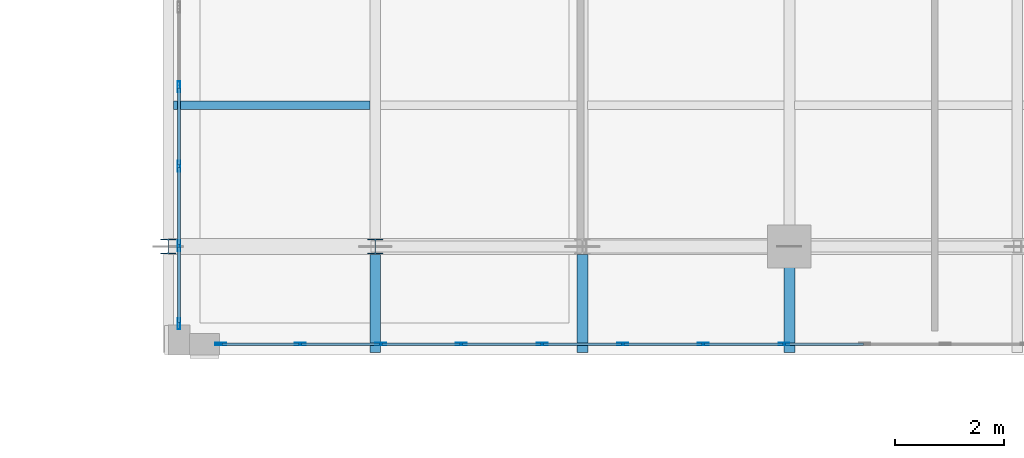
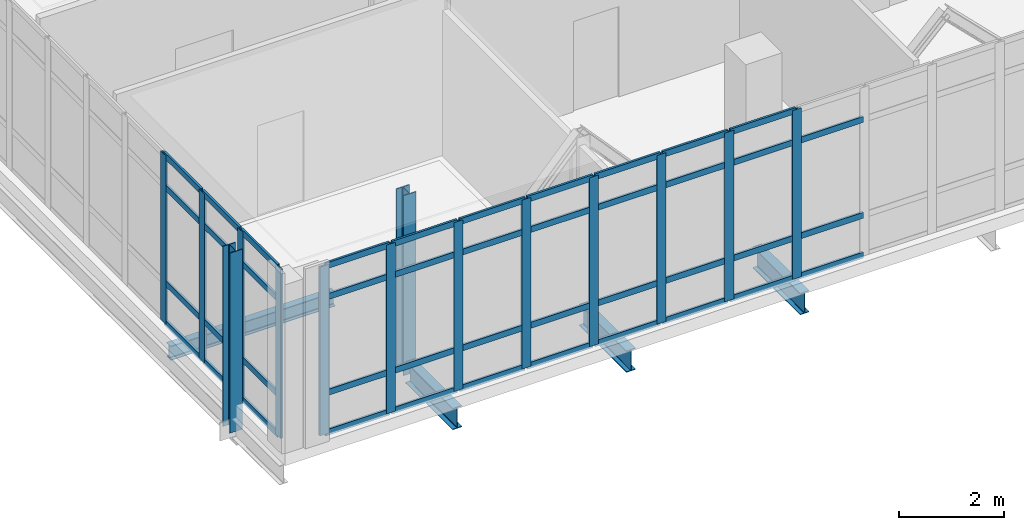
# One storey, part 2 of 158: 57 members, 4 beams, 2 elements without a shape of their own.
"""IFC4 building model written with IfcOpenShell, lengths in metres."""

from ifc_helpers import new_model, si_unit, direction, frame, origin, origin_2d, place, context, subcontext, project, spatial, hollow_rectangle, i_section, extrude, material, layer, layer_set, material_profile, profile_set, type_object, element, aggregate, save


model = new_model("IFC4")

# Units and contexts
model_context = context("Model", 3, precision=1e-05, world=origin(), true_north=direction((0.0, 1.0)))
body_context = subcontext(model_context, "Body", "Model", "MODEL_VIEW")
ifc_project = project(units=[si_unit("LENGTHUNIT", "METRE"), si_unit("AREAUNIT", "SQUARE_METRE"), si_unit("VOLUMEUNIT", "CUBIC_METRE"), si_unit("PLANEANGLEUNIT", "RADIAN"), si_unit("MASSUNIT", "GRAM", prefix="KILO")], contexts=[model_context])

# Site, building, storey
site_placement = place(None, origin())
site = spatial("IfcSite", under=ifc_project, at=site_placement, CompositionType="ELEMENT")
building_placement = place(site_placement, origin())
building = spatial("IfcBuilding", under=site, at=building_placement, Name="Qalavern Law Courts", CompositionType="ELEMENT")
storey_placement = place(building_placement, frame((0.0, 0.0, 18.60009765625)))
storey = spatial("IfcBuildingStorey", under=building, at=storey_placement, Name="L04", CompositionType="ELEMENT", Elevation=18.60009765625)

# Curtain wall, members
ifc_material_1 = material(Name="Anodised aluminium and insulated glazing", Category="aluminium")
ifc_layer = layer(ifc_material_1, 0.199951171875)
ifc_layer_set = layer_set([ifc_layer], Name="Anodised aluminium and insulated glazing")
curtain_wall_type = type_object("IfcCurtainWallType", Name="ENV-CW-FOYER", PredefinedType="USERDEFINED", material=ifc_layer_set)
curtain_wall_1_placement = place(storey_placement, origin())
curtain_wall_1 = element("IfcCurtainWall", 1, at=curtain_wall_1_placement, inside=storey, type_object=curtain_wall_type, Name="V1 unitised curtain wall L04 south 1", ObjectType="UNITISED CURTAIN WALL", PredefinedType="USERDEFINED")
ifc_material_2 = material(Name="Anodised aluminium", Category="aluminium")
ifc_material_profile_1 = material_profile(ifc_material_2, hollow_rectangle(XDim=0.048095703125, YDim=0.199951171875, WallThickness=0.00439453125, at=origin_2d()), Name="ALU MULLION 48x200")
ifc_profile_set_1 = profile_set([ifc_material_profile_1], Name="Anodised aluminium")
member_type_1 = type_object("IfcMemberType", Name="ENV-CWM-48x200", PredefinedType="MULLION", material=ifc_profile_set_1)
member_1_placement = place(storey_placement, frame((6.319091796875, 8.199951171875, 0.0), z_axis=(0.0, 0.0, 1.0), x_axis=(0.0, 1.0, 0.0)))
member_1 = element("IfcMember", 2, at=member_1_placement, type_object=member_type_1, Name="CW-01 mullion 1", PredefinedType="MULLION", context=body_context, shape_type="SweptSolid", body=[
    extrude(hollow_rectangle(XDim=0.048095703125, YDim=0.199951171875, WallThickness=0.00439453125, at=origin_2d()), origin(), (0.0, 0.0, 1.0), 3.9248046875),
])
member_2_placement = place(storey_placement, frame((7.78173828125, 8.199951171875, 0.0), z_axis=(0.0, 0.0, 1.0), x_axis=(0.0, 1.0, 0.0)))
member_2 = element("IfcMember", 3, at=member_2_placement, type_object=member_type_1, Name="CW-01 mullion 2", PredefinedType="MULLION", context=body_context, shape_type="SweptSolid", body=[
    extrude(hollow_rectangle(XDim=0.048095703125, YDim=0.199951171875, WallThickness=0.00439453125, at=origin_2d()), origin(), (0.0, 0.0, 1.0), 3.9248046875),
])
member_3_placement = place(storey_placement, frame((9.268310546875, 8.199951171875, 0.0), z_axis=(0.0, 0.0, 1.0), x_axis=(0.0, 1.0, 0.0)))
member_3 = element("IfcMember", 4, at=member_3_placement, type_object=member_type_1, Name="CW-01 mullion 3", PredefinedType="MULLION", context=body_context, shape_type="SweptSolid", body=[
    extrude(hollow_rectangle(XDim=0.048095703125, YDim=0.199951171875, WallThickness=0.00439453125, at=origin_2d()), origin(), (0.0, 0.0, 1.0), 3.9248046875),
])
member_4_placement = place(storey_placement, frame((10.7548828125, 8.199951171875, 0.0), z_axis=(0.0, 0.0, 1.0), x_axis=(0.0, 1.0, 0.0)))
member_4 = element("IfcMember", 5, at=member_4_placement, type_object=member_type_1, Name="CW-01 mullion 4", PredefinedType="MULLION", context=body_context, shape_type="SweptSolid", body=[
    extrude(hollow_rectangle(XDim=0.048095703125, YDim=0.199951171875, WallThickness=0.00439453125, at=origin_2d()), origin(), (0.0, 0.0, 1.0), 3.9248046875),
])
member_5_placement = place(storey_placement, frame((12.24169921875, 8.199951171875, 0.0), z_axis=(0.0, 0.0, 1.0), x_axis=(0.0, 1.0, 0.0)))
member_5 = element("IfcMember", 6, at=member_5_placement, type_object=member_type_1, Name="CW-01 mullion 5", PredefinedType="MULLION", context=body_context, shape_type="SweptSolid", body=[
    extrude(hollow_rectangle(XDim=0.048095703125, YDim=0.199951171875, WallThickness=0.00439453125, at=origin_2d()), origin(), (0.0, 0.0, 1.0), 3.9248046875),
])
member_6_placement = place(storey_placement, frame((13.728271484375, 8.199951171875, 0.0), z_axis=(0.0, 0.0, 1.0), x_axis=(0.0, 1.0, 0.0)))
member_6 = element("IfcMember", 7, at=member_6_placement, type_object=member_type_1, Name="CW-01 mullion 6", PredefinedType="MULLION", context=body_context, shape_type="SweptSolid", body=[
    extrude(hollow_rectangle(XDim=0.048095703125, YDim=0.199951171875, WallThickness=0.00439453125, at=origin_2d()), origin(), (0.0, 0.0, 1.0), 3.9248046875),
])
member_7_placement = place(storey_placement, frame((15.215087890625, 8.199951171875, 0.0), z_axis=(0.0, 0.0, 1.0), x_axis=(0.0, 1.0, 0.0)))
member_7 = element("IfcMember", 8, at=member_7_placement, type_object=member_type_1, Name="CW-01 mullion 7", PredefinedType="MULLION", context=body_context, shape_type="SweptSolid", body=[
    extrude(hollow_rectangle(XDim=0.048095703125, YDim=0.199951171875, WallThickness=0.00439453125, at=origin_2d()), origin(), (0.0, 0.0, 1.0), 3.9248046875),
])
member_8_placement = place(storey_placement, frame((16.70166015625, 8.199951171875, 0.0), z_axis=(0.0, 0.0, 1.0), x_axis=(0.0, 1.0, 0.0)))
member_8 = element("IfcMember", 9, at=member_8_placement, type_object=member_type_1, Name="CW-01 mullion 8", PredefinedType="MULLION", context=body_context, shape_type="SweptSolid", body=[
    extrude(hollow_rectangle(XDim=0.048095703125, YDim=0.199951171875, WallThickness=0.00439453125, at=origin_2d()), origin(), (0.0, 0.0, 1.0), 3.9248046875),
])

curtain_wall_2_placement = place(storey_placement, origin())
curtain_wall_2 = element("IfcCurtainWall", 10, at=curtain_wall_2_placement, inside=storey, type_object=curtain_wall_type, Name="V1 unitised curtain wall L04 west 1", ObjectType="UNITISED CURTAIN WALL", PredefinedType="USERDEFINED")
member_9_placement = place(storey_placement, frame((5.550048828125, 12.944091796875, 0.0), z_axis=(0.0, 0.0, 1.0), x_axis=(1.0, 0.0, 0.0)))
member_9 = element("IfcMember", 11, at=member_9_placement, type_object=member_type_1, Name="CW-01 mullion 15", PredefinedType="MULLION", context=body_context, shape_type="SweptSolid", body=[
    extrude(hollow_rectangle(XDim=0.048095703125, YDim=0.199951171875, WallThickness=0.00439453125, at=origin_2d()), origin(), (0.0, 0.0, 1.0), 3.9248046875),
])
member_10_placement = place(storey_placement, frame((5.550048828125, 11.4794921875, 0.0), z_axis=(0.0, 0.0, 1.0), x_axis=(1.0, 0.0, 0.0)))
member_10 = element("IfcMember", 12, at=member_10_placement, type_object=member_type_1, Name="CW-01 mullion 16", PredefinedType="MULLION", context=body_context, shape_type="SweptSolid", body=[
    extrude(hollow_rectangle(XDim=0.048095703125, YDim=0.199951171875, WallThickness=0.00439453125, at=origin_2d()), origin(), (0.0, 0.0, 1.0), 3.9248046875),
])
member_11_placement = place(storey_placement, frame((5.550048828125, 10.0146484375, 0.0), z_axis=(0.0, 0.0, 1.0), x_axis=(1.0, 0.0, 0.0)))
member_11 = element("IfcMember", 13, at=member_11_placement, type_object=member_type_1, Name="CW-01 mullion 17", PredefinedType="MULLION", context=body_context, shape_type="SweptSolid", body=[
    extrude(hollow_rectangle(XDim=0.048095703125, YDim=0.199951171875, WallThickness=0.00439453125, at=origin_2d()), origin(), (0.0, 0.0, 1.0), 3.9248046875),
])
member_12_placement = place(storey_placement, frame((5.550048828125, 8.573974609375, 0.0), z_axis=(0.0, 0.0, 1.0), x_axis=(1.0, 0.0, 0.0)))
member_12 = element("IfcMember", 14, at=member_12_placement, type_object=member_type_1, Name="CW-01 mullion 18", PredefinedType="MULLION", context=body_context, shape_type="SweptSolid", body=[
    extrude(hollow_rectangle(XDim=0.048095703125, YDim=0.199951171875, WallThickness=0.00439453125, at=origin_2d()), origin(), (0.0, 0.0, 1.0), 3.9248046875),
])

# Member
ifc_material_profile_2 = material_profile(ifc_material_2, hollow_rectangle(XDim=0.048095703125, YDim=0.139892578125, WallThickness=0.00390625, at=origin_2d()), Name="ALU TRANSOM 48x140")
ifc_profile_set_2 = profile_set([ifc_material_profile_2], Name="Anodised aluminium")
member_type_2 = type_object("IfcMemberType", Name="ENV-CWT-48x140", PredefinedType="USERDEFINED", material=ifc_profile_set_2)
member_13_placement = place(storey_placement, frame((6.343017578125, 8.199951171875, 0.02392578125), z_axis=(1.0, 0.0, 0.0), x_axis=(0.0, 1.0, 0.0)))
member_13 = element("IfcMember", 15, at=member_13_placement, type_object=member_type_2, Name="CW-01 transom 1.1", ObjectType="TRANSOM", PredefinedType="USERDEFINED", context=body_context, shape_type="SweptSolid", body=[
    extrude(hollow_rectangle(XDim=0.048095703125, YDim=0.139892578125, WallThickness=0.00390625, at=origin_2d()), origin(), (0.0, 0.0, 1.0), 1.41455078125),
])

member_14_placement = place(storey_placement, frame((6.343017578125, 8.199951171875, 0.949951171875), z_axis=(1.0, 0.0, 0.0), x_axis=(0.0, 1.0, 0.0)))
member_14 = element("IfcMember", 16, at=member_14_placement, type_object=member_type_2, Name="CW-01 transom 1.2", ObjectType="TRANSOM", PredefinedType="USERDEFINED", context=body_context, shape_type="SweptSolid", body=[
    extrude(hollow_rectangle(XDim=0.048095703125, YDim=0.139892578125, WallThickness=0.00390625, at=origin_2d()), origin(), (0.0, 0.0, 1.0), 1.41455078125),
])

member_15_placement = place(storey_placement, frame((6.343017578125, 8.199951171875, 3.1748046875), z_axis=(1.0, 0.0, 0.0), x_axis=(0.0, 1.0, 0.0)))
member_15 = element("IfcMember", 17, at=member_15_placement, type_object=member_type_2, Name="CW-01 transom 1.3", ObjectType="TRANSOM", PredefinedType="USERDEFINED", context=body_context, shape_type="SweptSolid", body=[
    extrude(hollow_rectangle(XDim=0.048095703125, YDim=0.139892578125, WallThickness=0.00390625, at=origin_2d()), origin(), (0.0, 0.0, 1.0), 1.41455078125),
])

member_16_placement = place(storey_placement, frame((6.343017578125, 8.199951171875, 3.90087890625), z_axis=(1.0, 0.0, 0.0), x_axis=(0.0, 1.0, 0.0)))
member_16 = element("IfcMember", 18, at=member_16_placement, type_object=member_type_2, Name="CW-01 transom 1.4", ObjectType="TRANSOM", PredefinedType="USERDEFINED", context=body_context, shape_type="SweptSolid", body=[
    extrude(hollow_rectangle(XDim=0.048095703125, YDim=0.139892578125, WallThickness=0.00390625, at=origin_2d()), origin(), (0.0, 0.0, 1.0), 1.41455078125),
])

member_17_placement = place(storey_placement, frame((7.8056640625, 8.199951171875, 0.02392578125), z_axis=(1.0, 0.0, 0.0), x_axis=(0.0, 1.0, 0.0)))
member_17 = element("IfcMember", 19, at=member_17_placement, type_object=member_type_2, Name="CW-01 transom 2.1", ObjectType="TRANSOM", PredefinedType="USERDEFINED", context=body_context, shape_type="SweptSolid", body=[
    extrude(hollow_rectangle(XDim=0.048095703125, YDim=0.139892578125, WallThickness=0.00390625, at=origin_2d()), origin(), (0.0, 0.0, 1.0), 1.438720703125),
])

member_18_placement = place(storey_placement, frame((7.8056640625, 8.199951171875, 0.949951171875), z_axis=(1.0, 0.0, 0.0), x_axis=(0.0, 1.0, 0.0)))
member_18 = element("IfcMember", 20, at=member_18_placement, type_object=member_type_2, Name="CW-01 transom 2.2", ObjectType="TRANSOM", PredefinedType="USERDEFINED", context=body_context, shape_type="SweptSolid", body=[
    extrude(hollow_rectangle(XDim=0.048095703125, YDim=0.139892578125, WallThickness=0.00390625, at=origin_2d()), origin(), (0.0, 0.0, 1.0), 1.438720703125),
])

member_19_placement = place(storey_placement, frame((7.8056640625, 8.199951171875, 3.1748046875), z_axis=(1.0, 0.0, 0.0), x_axis=(0.0, 1.0, 0.0)))
member_19 = element("IfcMember", 21, at=member_19_placement, type_object=member_type_2, Name="CW-01 transom 2.3", ObjectType="TRANSOM", PredefinedType="USERDEFINED", context=body_context, shape_type="SweptSolid", body=[
    extrude(hollow_rectangle(XDim=0.048095703125, YDim=0.139892578125, WallThickness=0.00390625, at=origin_2d()), origin(), (0.0, 0.0, 1.0), 1.438720703125),
])

member_20_placement = place(storey_placement, frame((7.8056640625, 8.199951171875, 3.90087890625), z_axis=(1.0, 0.0, 0.0), x_axis=(0.0, 1.0, 0.0)))
member_20 = element("IfcMember", 22, at=member_20_placement, type_object=member_type_2, Name="CW-01 transom 2.4", ObjectType="TRANSOM", PredefinedType="USERDEFINED", context=body_context, shape_type="SweptSolid", body=[
    extrude(hollow_rectangle(XDim=0.048095703125, YDim=0.139892578125, WallThickness=0.00390625, at=origin_2d()), origin(), (0.0, 0.0, 1.0), 1.438720703125),
])

member_21_placement = place(storey_placement, frame((9.292236328125, 8.199951171875, 0.02392578125), z_axis=(1.0, 0.0, 0.0), x_axis=(0.0, 1.0, 0.0)))
member_21 = element("IfcMember", 23, at=member_21_placement, type_object=member_type_2, Name="CW-01 transom 3.1", ObjectType="TRANSOM", PredefinedType="USERDEFINED", context=body_context, shape_type="SweptSolid", body=[
    extrude(hollow_rectangle(XDim=0.048095703125, YDim=0.139892578125, WallThickness=0.00390625, at=origin_2d()), origin(), (0.0, 0.0, 1.0), 1.438720703125),
])

member_22_placement = place(storey_placement, frame((9.292236328125, 8.199951171875, 0.949951171875), z_axis=(1.0, 0.0, 0.0), x_axis=(0.0, 1.0, 0.0)))
member_22 = element("IfcMember", 24, at=member_22_placement, type_object=member_type_2, Name="CW-01 transom 3.2", ObjectType="TRANSOM", PredefinedType="USERDEFINED", context=body_context, shape_type="SweptSolid", body=[
    extrude(hollow_rectangle(XDim=0.048095703125, YDim=0.139892578125, WallThickness=0.00390625, at=origin_2d()), origin(), (0.0, 0.0, 1.0), 1.438720703125),
])

member_23_placement = place(storey_placement, frame((9.292236328125, 8.199951171875, 3.1748046875), z_axis=(1.0, 0.0, 0.0), x_axis=(0.0, 1.0, 0.0)))
member_23 = element("IfcMember", 25, at=member_23_placement, type_object=member_type_2, Name="CW-01 transom 3.3", ObjectType="TRANSOM", PredefinedType="USERDEFINED", context=body_context, shape_type="SweptSolid", body=[
    extrude(hollow_rectangle(XDim=0.048095703125, YDim=0.139892578125, WallThickness=0.00390625, at=origin_2d()), origin(), (0.0, 0.0, 1.0), 1.438720703125),
])

member_24_placement = place(storey_placement, frame((9.292236328125, 8.199951171875, 3.90087890625), z_axis=(1.0, 0.0, 0.0), x_axis=(0.0, 1.0, 0.0)))
member_24 = element("IfcMember", 26, at=member_24_placement, type_object=member_type_2, Name="CW-01 transom 3.4", ObjectType="TRANSOM", PredefinedType="USERDEFINED", context=body_context, shape_type="SweptSolid", body=[
    extrude(hollow_rectangle(XDim=0.048095703125, YDim=0.139892578125, WallThickness=0.00390625, at=origin_2d()), origin(), (0.0, 0.0, 1.0), 1.438720703125),
])

member_25_placement = place(storey_placement, frame((10.779052734375, 8.199951171875, 0.02392578125), z_axis=(1.0, 0.0, 0.0), x_axis=(0.0, 1.0, 0.0)))
member_25 = element("IfcMember", 27, at=member_25_placement, type_object=member_type_2, Name="CW-01 transom 4.1", ObjectType="TRANSOM", PredefinedType="USERDEFINED", context=body_context, shape_type="SweptSolid", body=[
    extrude(hollow_rectangle(XDim=0.048095703125, YDim=0.139892578125, WallThickness=0.00390625, at=origin_2d()), origin(), (0.0, 0.0, 1.0), 1.438720703125),
])

member_26_placement = place(storey_placement, frame((10.779052734375, 8.199951171875, 0.949951171875), z_axis=(1.0, 0.0, 0.0), x_axis=(0.0, 1.0, 0.0)))
member_26 = element("IfcMember", 28, at=member_26_placement, type_object=member_type_2, Name="CW-01 transom 4.2", ObjectType="TRANSOM", PredefinedType="USERDEFINED", context=body_context, shape_type="SweptSolid", body=[
    extrude(hollow_rectangle(XDim=0.048095703125, YDim=0.139892578125, WallThickness=0.00390625, at=origin_2d()), origin(), (0.0, 0.0, 1.0), 1.438720703125),
])

member_27_placement = place(storey_placement, frame((10.779052734375, 8.199951171875, 3.1748046875), z_axis=(1.0, 0.0, 0.0), x_axis=(0.0, 1.0, 0.0)))
member_27 = element("IfcMember", 29, at=member_27_placement, type_object=member_type_2, Name="CW-01 transom 4.3", ObjectType="TRANSOM", PredefinedType="USERDEFINED", context=body_context, shape_type="SweptSolid", body=[
    extrude(hollow_rectangle(XDim=0.048095703125, YDim=0.139892578125, WallThickness=0.00390625, at=origin_2d()), origin(), (0.0, 0.0, 1.0), 1.438720703125),
])

member_28_placement = place(storey_placement, frame((10.779052734375, 8.199951171875, 3.90087890625), z_axis=(1.0, 0.0, 0.0), x_axis=(0.0, 1.0, 0.0)))
member_28 = element("IfcMember", 30, at=member_28_placement, type_object=member_type_2, Name="CW-01 transom 4.4", ObjectType="TRANSOM", PredefinedType="USERDEFINED", context=body_context, shape_type="SweptSolid", body=[
    extrude(hollow_rectangle(XDim=0.048095703125, YDim=0.139892578125, WallThickness=0.00390625, at=origin_2d()), origin(), (0.0, 0.0, 1.0), 1.438720703125),
])

member_29_placement = place(storey_placement, frame((12.265625, 8.199951171875, 0.02392578125), z_axis=(1.0, 0.0, 0.0), x_axis=(0.0, 1.0, 0.0)))
member_29 = element("IfcMember", 31, at=member_29_placement, type_object=member_type_2, Name="CW-01 transom 5.1", ObjectType="TRANSOM", PredefinedType="USERDEFINED", context=body_context, shape_type="SweptSolid", body=[
    extrude(hollow_rectangle(XDim=0.048095703125, YDim=0.139892578125, WallThickness=0.00390625, at=origin_2d()), origin(), (0.0, 0.0, 1.0), 1.438720703125),
])

member_30_placement = place(storey_placement, frame((12.265625, 8.199951171875, 0.949951171875), z_axis=(1.0, 0.0, 0.0), x_axis=(0.0, 1.0, 0.0)))
member_30 = element("IfcMember", 32, at=member_30_placement, type_object=member_type_2, Name="CW-01 transom 5.2", ObjectType="TRANSOM", PredefinedType="USERDEFINED", context=body_context, shape_type="SweptSolid", body=[
    extrude(hollow_rectangle(XDim=0.048095703125, YDim=0.139892578125, WallThickness=0.00390625, at=origin_2d()), origin(), (0.0, 0.0, 1.0), 1.438720703125),
])

member_31_placement = place(storey_placement, frame((12.265625, 8.199951171875, 3.1748046875), z_axis=(1.0, 0.0, 0.0), x_axis=(0.0, 1.0, 0.0)))
member_31 = element("IfcMember", 33, at=member_31_placement, type_object=member_type_2, Name="CW-01 transom 5.3", ObjectType="TRANSOM", PredefinedType="USERDEFINED", context=body_context, shape_type="SweptSolid", body=[
    extrude(hollow_rectangle(XDim=0.048095703125, YDim=0.139892578125, WallThickness=0.00390625, at=origin_2d()), origin(), (0.0, 0.0, 1.0), 1.438720703125),
])

member_32_placement = place(storey_placement, frame((12.265625, 8.199951171875, 3.90087890625), z_axis=(1.0, 0.0, 0.0), x_axis=(0.0, 1.0, 0.0)))
member_32 = element("IfcMember", 34, at=member_32_placement, type_object=member_type_2, Name="CW-01 transom 5.4", ObjectType="TRANSOM", PredefinedType="USERDEFINED", context=body_context, shape_type="SweptSolid", body=[
    extrude(hollow_rectangle(XDim=0.048095703125, YDim=0.139892578125, WallThickness=0.00390625, at=origin_2d()), origin(), (0.0, 0.0, 1.0), 1.438720703125),
])

member_33_placement = place(storey_placement, frame((13.75244140625, 8.199951171875, 0.02392578125), z_axis=(1.0, 0.0, 0.0), x_axis=(0.0, 1.0, 0.0)))
member_33 = element("IfcMember", 35, at=member_33_placement, type_object=member_type_2, Name="CW-01 transom 6.1", ObjectType="TRANSOM", PredefinedType="USERDEFINED", context=body_context, shape_type="SweptSolid", body=[
    extrude(hollow_rectangle(XDim=0.048095703125, YDim=0.139892578125, WallThickness=0.00390625, at=origin_2d()), origin(), (0.0, 0.0, 1.0), 1.4384765625),
])

member_34_placement = place(storey_placement, frame((13.75244140625, 8.199951171875, 0.949951171875), z_axis=(1.0, 0.0, 0.0), x_axis=(0.0, 1.0, 0.0)))
member_34 = element("IfcMember", 36, at=member_34_placement, type_object=member_type_2, Name="CW-01 transom 6.2", ObjectType="TRANSOM", PredefinedType="USERDEFINED", context=body_context, shape_type="SweptSolid", body=[
    extrude(hollow_rectangle(XDim=0.048095703125, YDim=0.139892578125, WallThickness=0.00390625, at=origin_2d()), origin(), (0.0, 0.0, 1.0), 1.4384765625),
])

member_35_placement = place(storey_placement, frame((13.75244140625, 8.199951171875, 3.1748046875), z_axis=(1.0, 0.0, 0.0), x_axis=(0.0, 1.0, 0.0)))
member_35 = element("IfcMember", 37, at=member_35_placement, type_object=member_type_2, Name="CW-01 transom 6.3", ObjectType="TRANSOM", PredefinedType="USERDEFINED", context=body_context, shape_type="SweptSolid", body=[
    extrude(hollow_rectangle(XDim=0.048095703125, YDim=0.139892578125, WallThickness=0.00390625, at=origin_2d()), origin(), (0.0, 0.0, 1.0), 1.4384765625),
])

member_36_placement = place(storey_placement, frame((13.75244140625, 8.199951171875, 3.90087890625), z_axis=(1.0, 0.0, 0.0), x_axis=(0.0, 1.0, 0.0)))
member_36 = element("IfcMember", 38, at=member_36_placement, type_object=member_type_2, Name="CW-01 transom 6.4", ObjectType="TRANSOM", PredefinedType="USERDEFINED", context=body_context, shape_type="SweptSolid", body=[
    extrude(hollow_rectangle(XDim=0.048095703125, YDim=0.139892578125, WallThickness=0.00390625, at=origin_2d()), origin(), (0.0, 0.0, 1.0), 1.4384765625),
])

member_37_placement = place(storey_placement, frame((15.239013671875, 8.199951171875, 0.02392578125), z_axis=(1.0, 0.0, 0.0), x_axis=(0.0, 1.0, 0.0)))
member_37 = element("IfcMember", 39, at=member_37_placement, type_object=member_type_2, Name="CW-01 transom 7.1", ObjectType="TRANSOM", PredefinedType="USERDEFINED", context=body_context, shape_type="SweptSolid", body=[
    extrude(hollow_rectangle(XDim=0.048095703125, YDim=0.139892578125, WallThickness=0.00390625, at=origin_2d()), origin(), (0.0, 0.0, 1.0), 1.438720703125),
])

member_38_placement = place(storey_placement, frame((15.239013671875, 8.199951171875, 0.949951171875), z_axis=(1.0, 0.0, 0.0), x_axis=(0.0, 1.0, 0.0)))
member_38 = element("IfcMember", 40, at=member_38_placement, type_object=member_type_2, Name="CW-01 transom 7.2", ObjectType="TRANSOM", PredefinedType="USERDEFINED", context=body_context, shape_type="SweptSolid", body=[
    extrude(hollow_rectangle(XDim=0.048095703125, YDim=0.139892578125, WallThickness=0.00390625, at=origin_2d()), origin(), (0.0, 0.0, 1.0), 1.438720703125),
])

member_39_placement = place(storey_placement, frame((15.239013671875, 8.199951171875, 3.1748046875), z_axis=(1.0, 0.0, 0.0), x_axis=(0.0, 1.0, 0.0)))
member_39 = element("IfcMember", 41, at=member_39_placement, type_object=member_type_2, Name="CW-01 transom 7.3", ObjectType="TRANSOM", PredefinedType="USERDEFINED", context=body_context, shape_type="SweptSolid", body=[
    extrude(hollow_rectangle(XDim=0.048095703125, YDim=0.139892578125, WallThickness=0.00390625, at=origin_2d()), origin(), (0.0, 0.0, 1.0), 1.438720703125),
])

member_40_placement = place(storey_placement, frame((15.239013671875, 8.199951171875, 3.90087890625), z_axis=(1.0, 0.0, 0.0), x_axis=(0.0, 1.0, 0.0)))
member_40 = element("IfcMember", 42, at=member_40_placement, type_object=member_type_2, Name="CW-01 transom 7.4", ObjectType="TRANSOM", PredefinedType="USERDEFINED", context=body_context, shape_type="SweptSolid", body=[
    extrude(hollow_rectangle(XDim=0.048095703125, YDim=0.139892578125, WallThickness=0.00390625, at=origin_2d()), origin(), (0.0, 0.0, 1.0), 1.438720703125),
])

member_41_placement = place(storey_placement, frame((16.7255859375, 8.199951171875, 0.02392578125), z_axis=(1.0, 0.0, 0.0), x_axis=(0.0, 1.0, 0.0)))
member_41 = element("IfcMember", 43, at=member_41_placement, type_object=member_type_2, Name="CW-01 transom 8.1", ObjectType="TRANSOM", PredefinedType="USERDEFINED", context=body_context, shape_type="SweptSolid", body=[
    extrude(hollow_rectangle(XDim=0.048095703125, YDim=0.139892578125, WallThickness=0.00390625, at=origin_2d()), origin(), (0.0, 0.0, 1.0), 1.438720703125),
])

member_42_placement = place(storey_placement, frame((16.7255859375, 8.199951171875, 0.949951171875), z_axis=(1.0, 0.0, 0.0), x_axis=(0.0, 1.0, 0.0)))
member_42 = element("IfcMember", 44, at=member_42_placement, type_object=member_type_2, Name="CW-01 transom 8.2", ObjectType="TRANSOM", PredefinedType="USERDEFINED", context=body_context, shape_type="SweptSolid", body=[
    extrude(hollow_rectangle(XDim=0.048095703125, YDim=0.139892578125, WallThickness=0.00390625, at=origin_2d()), origin(), (0.0, 0.0, 1.0), 1.438720703125),
])

member_43_placement = place(storey_placement, frame((16.7255859375, 8.199951171875, 3.1748046875), z_axis=(1.0, 0.0, 0.0), x_axis=(0.0, 1.0, 0.0)))
member_43 = element("IfcMember", 45, at=member_43_placement, type_object=member_type_2, Name="CW-01 transom 8.3", ObjectType="TRANSOM", PredefinedType="USERDEFINED", context=body_context, shape_type="SweptSolid", body=[
    extrude(hollow_rectangle(XDim=0.048095703125, YDim=0.139892578125, WallThickness=0.00390625, at=origin_2d()), origin(), (0.0, 0.0, 1.0), 1.438720703125),
])

aggregate(curtain_wall_1, [member_1, member_2, member_3, member_4, member_5, member_6, member_7, member_8, member_13, member_14, member_15, member_16, member_17, member_18, member_19, member_20, member_21, member_22, member_23, member_24, member_25, member_26, member_27, member_28, member_29, member_30, member_31, member_32, member_33, member_34, member_35, member_36, member_37, member_38, member_39, member_40, member_41, member_42, member_43])

member_44_placement = place(storey_placement, frame((5.550048828125, 12.920166015625, 0.02392578125), z_axis=(0.0, -1.0, 0.0), x_axis=(1.0, 0.0, 0.0)))
member_44 = element("IfcMember", 46, at=member_44_placement, type_object=member_type_2, Name="CW-01 transom 15.1", ObjectType="TRANSOM", PredefinedType="USERDEFINED", context=body_context, shape_type="SweptSolid", body=[
    extrude(hollow_rectangle(XDim=0.048095703125, YDim=0.139892578125, WallThickness=0.00390625, at=origin_2d()), origin(), (0.0, 0.0, 1.0), 1.416748046875),
])

member_45_placement = place(storey_placement, frame((5.550048828125, 12.920166015625, 0.949951171875), z_axis=(0.0, -1.0, 0.0), x_axis=(1.0, 0.0, 0.0)))
member_45 = element("IfcMember", 47, at=member_45_placement, type_object=member_type_2, Name="CW-01 transom 15.2", ObjectType="TRANSOM", PredefinedType="USERDEFINED", context=body_context, shape_type="SweptSolid", body=[
    extrude(hollow_rectangle(XDim=0.048095703125, YDim=0.139892578125, WallThickness=0.00390625, at=origin_2d()), origin(), (0.0, 0.0, 1.0), 1.416748046875),
])

member_46_placement = place(storey_placement, frame((5.550048828125, 12.920166015625, 3.1748046875), z_axis=(0.0, -1.0, 0.0), x_axis=(1.0, 0.0, 0.0)))
member_46 = element("IfcMember", 48, at=member_46_placement, type_object=member_type_2, Name="CW-01 transom 15.3", ObjectType="TRANSOM", PredefinedType="USERDEFINED", context=body_context, shape_type="SweptSolid", body=[
    extrude(hollow_rectangle(XDim=0.048095703125, YDim=0.139892578125, WallThickness=0.00390625, at=origin_2d()), origin(), (0.0, 0.0, 1.0), 1.416748046875),
])

member_47_placement = place(storey_placement, frame((5.550048828125, 12.920166015625, 3.90087890625), z_axis=(0.0, -1.0, 0.0), x_axis=(1.0, 0.0, 0.0)))
member_47 = element("IfcMember", 49, at=member_47_placement, type_object=member_type_2, Name="CW-01 transom 15.4", ObjectType="TRANSOM", PredefinedType="USERDEFINED", context=body_context, shape_type="SweptSolid", body=[
    extrude(hollow_rectangle(XDim=0.048095703125, YDim=0.139892578125, WallThickness=0.00390625, at=origin_2d()), origin(), (0.0, 0.0, 1.0), 1.416748046875),
])

member_48_placement = place(storey_placement, frame((5.550048828125, 11.455322265625, 0.02392578125), z_axis=(0.0, -1.0, 0.0), x_axis=(1.0, 0.0, 0.0)))
member_48 = element("IfcMember", 50, at=member_48_placement, type_object=member_type_2, Name="CW-01 transom 16.1", ObjectType="TRANSOM", PredefinedType="USERDEFINED", context=body_context, shape_type="SweptSolid", body=[
    extrude(hollow_rectangle(XDim=0.048095703125, YDim=0.139892578125, WallThickness=0.00390625, at=origin_2d()), origin(), (0.0, 0.0, 1.0), 1.41650390625),
])

member_49_placement = place(storey_placement, frame((5.550048828125, 11.455322265625, 0.949951171875), z_axis=(0.0, -1.0, 0.0), x_axis=(1.0, 0.0, 0.0)))
member_49 = element("IfcMember", 51, at=member_49_placement, type_object=member_type_2, Name="CW-01 transom 16.2", ObjectType="TRANSOM", PredefinedType="USERDEFINED", context=body_context, shape_type="SweptSolid", body=[
    extrude(hollow_rectangle(XDim=0.048095703125, YDim=0.139892578125, WallThickness=0.00390625, at=origin_2d()), origin(), (0.0, 0.0, 1.0), 1.41650390625),
])

member_50_placement = place(storey_placement, frame((5.550048828125, 11.455322265625, 3.1748046875), z_axis=(0.0, -1.0, 0.0), x_axis=(1.0, 0.0, 0.0)))
member_50 = element("IfcMember", 52, at=member_50_placement, type_object=member_type_2, Name="CW-01 transom 16.3", ObjectType="TRANSOM", PredefinedType="USERDEFINED", context=body_context, shape_type="SweptSolid", body=[
    extrude(hollow_rectangle(XDim=0.048095703125, YDim=0.139892578125, WallThickness=0.00390625, at=origin_2d()), origin(), (0.0, 0.0, 1.0), 1.41650390625),
])

member_51_placement = place(storey_placement, frame((5.550048828125, 11.455322265625, 3.90087890625), z_axis=(0.0, -1.0, 0.0), x_axis=(1.0, 0.0, 0.0)))
member_51 = element("IfcMember", 53, at=member_51_placement, type_object=member_type_2, Name="CW-01 transom 16.4", ObjectType="TRANSOM", PredefinedType="USERDEFINED", context=body_context, shape_type="SweptSolid", body=[
    extrude(hollow_rectangle(XDim=0.048095703125, YDim=0.139892578125, WallThickness=0.00390625, at=origin_2d()), origin(), (0.0, 0.0, 1.0), 1.41650390625),
])

member_52_placement = place(storey_placement, frame((5.550048828125, 9.99072265625, 0.02392578125), z_axis=(0.0, -1.0, 0.0), x_axis=(1.0, 0.0, 0.0)))
member_52 = element("IfcMember", 54, at=member_52_placement, type_object=member_type_2, Name="CW-01 transom 17.1", ObjectType="TRANSOM", PredefinedType="USERDEFINED", context=body_context, shape_type="SweptSolid", body=[
    extrude(hollow_rectangle(XDim=0.048095703125, YDim=0.139892578125, WallThickness=0.00390625, at=origin_2d()), origin(), (0.0, 0.0, 1.0), 1.392822265625),
])

member_53_placement = place(storey_placement, frame((5.550048828125, 9.99072265625, 0.949951171875), z_axis=(0.0, -1.0, 0.0), x_axis=(1.0, 0.0, 0.0)))
member_53 = element("IfcMember", 55, at=member_53_placement, type_object=member_type_2, Name="CW-01 transom 17.2", ObjectType="TRANSOM", PredefinedType="USERDEFINED", context=body_context, shape_type="SweptSolid", body=[
    extrude(hollow_rectangle(XDim=0.048095703125, YDim=0.139892578125, WallThickness=0.00390625, at=origin_2d()), origin(), (0.0, 0.0, 1.0), 1.392822265625),
])

member_54_placement = place(storey_placement, frame((5.550048828125, 9.99072265625, 3.1748046875), z_axis=(0.0, -1.0, 0.0), x_axis=(1.0, 0.0, 0.0)))
member_54 = element("IfcMember", 56, at=member_54_placement, type_object=member_type_2, Name="CW-01 transom 17.3", ObjectType="TRANSOM", PredefinedType="USERDEFINED", context=body_context, shape_type="SweptSolid", body=[
    extrude(hollow_rectangle(XDim=0.048095703125, YDim=0.139892578125, WallThickness=0.00390625, at=origin_2d()), origin(), (0.0, 0.0, 1.0), 1.392822265625),
])

member_55_placement = place(storey_placement, frame((5.550048828125, 9.99072265625, 3.90087890625), z_axis=(0.0, -1.0, 0.0), x_axis=(1.0, 0.0, 0.0)))
member_55 = element("IfcMember", 57, at=member_55_placement, type_object=member_type_2, Name="CW-01 transom 17.4", ObjectType="TRANSOM", PredefinedType="USERDEFINED", context=body_context, shape_type="SweptSolid", body=[
    extrude(hollow_rectangle(XDim=0.048095703125, YDim=0.139892578125, WallThickness=0.00390625, at=origin_2d()), origin(), (0.0, 0.0, 1.0), 1.392822265625),
])

aggregate(curtain_wall_2, [member_9, member_10, member_11, member_12, member_44, member_45, member_46, member_47, member_48, member_49, member_50, member_51, member_52, member_53, member_54, member_55])

# Beams
ifc_material_3 = material(Name="Steel S355", Category="steel")
ifc_material_profile_3 = material_profile(ifc_material_3, i_section(OverallWidth=0.199951171875, OverallDepth=0.5, WebThickness=0.01025390625, FlangeThickness=0.01611328125, FilletRadius=0.02099609375, at=origin_2d()), Name="IPE 500")
ifc_profile_set_3 = profile_set([ifc_material_profile_3], Name="Steel S355")
beam_type_1 = type_object("IfcBeamType", Name="STR-BM-IPE500", PredefinedType="BEAM", material=ifc_profile_set_3)
for number, where, z_axis, x_axis, name in (
    (58, (16.800048828125, 8.050048828125, -0.530029296875), (0.0, 1.0, 0.0), (-1.0, 0.0, 0.0), "Foyer transverse beam L04-5.1"),
    (59, (12.9833984375, 8.050048828125, -0.530029296875), (0.0, 1.0, 0.0), (-1.0, 0.0, 0.0), "Foyer transverse beam L04-6.1"),
    (60, (9.166748046875, 8.050048828125, -0.530029296875), (0.0, 1.0, 0.0), (-1.0, 0.0, 0.0), "Foyer transverse beam L04-7.1"),
):
    element("IfcBeam", number, at=place(storey_placement, frame(where, z_axis=z_axis, x_axis=x_axis)), inside=storey, type_object=beam_type_1, Name=name, PredefinedType="BEAM", context=body_context, shape_type="SweptSolid", body=[
        extrude(i_section(OverallWidth=0.199951171875, OverallDepth=0.5, WebThickness=0.01025390625, FlangeThickness=0.01611328125, FilletRadius=0.02099609375, at=origin_2d()), origin(), (0.0, 0.0, 1.0), 1.802001953125),
    ])
ifc_material_profile_4 = material_profile(ifc_material_3, i_section(OverallWidth=0.159912109375, OverallDepth=0.330078125, WebThickness=0.007568359375, FlangeThickness=0.011474609375, FilletRadius=0.01806640625, at=origin_2d()), Name="IPE 330")
ifc_profile_set_4 = profile_set([ifc_material_profile_4], Name="Steel S355")
beam_type_2 = type_object("IfcBeamType", Name="STR-JST-IPE330", PredefinedType="JOIST", material=ifc_profile_set_4)
beam_placement = place(storey_placement, frame((5.447998046875, 12.60009765625, -0.445068359375), z_axis=(1.0, 0.0, 0.0), x_axis=(0.0, 1.0, 0.0)))
element("IfcBeam", 61, at=beam_placement, inside=storey, type_object=beam_type_2, Name="Foyer floor joist L04-7.1", PredefinedType="JOIST", context=body_context, shape_type="SweptSolid", body=[
    extrude(i_section(OverallWidth=0.159912109375, OverallDepth=0.330078125, WebThickness=0.007568359375, FlangeThickness=0.011474609375, FilletRadius=0.01806640625, at=origin_2d()), origin(), (0.0, 0.0, 1.0), 3.62060546875),
])

# Members
ifc_material_profile_5 = material_profile(ifc_material_3, i_section(OverallWidth=0.280029296875, OverallDepth=0.280029296875, WebThickness=0.010498046875, FlangeThickness=0.01806640625, FilletRadius=0.02392578125, at=origin_2d()), Name="HEB 280")
ifc_profile_set_5 = profile_set([ifc_material_profile_5], Name="Steel S355")
member_type_3 = type_object("IfcMemberType", Name="STR-POST-HEB280", PredefinedType="POST", material=ifc_profile_set_5)
for number, where, z_axis, x_axis, name in (
    (62, (9.166748046875, 10.0, -0.60498046875), (0.0, 0.0, 1.0), (1.0, 0.0, 0.0), "Cantilever truss T1 post L04-2"),
    (63, (5.35009765625, 10.0, -0.60498046875), (0.0, 0.0, 1.0), (1.0, 0.0, 0.0), "Cantilever truss T1 post L04-3"),
):
    element("IfcMember", number, at=place(storey_placement, frame(where, z_axis=z_axis, x_axis=x_axis)), inside=storey, type_object=member_type_3, Name=name, PredefinedType="POST", context=body_context, shape_type="SweptSolid", body=[
        extrude(i_section(OverallWidth=0.280029296875, OverallDepth=0.280029296875, WebThickness=0.010498046875, FlangeThickness=0.01806640625, FilletRadius=0.02392578125, at=origin_2d()), origin(), (0.0, 0.0, 1.0), 4.183837890625),
    ])

save(model, "model.ifc")
